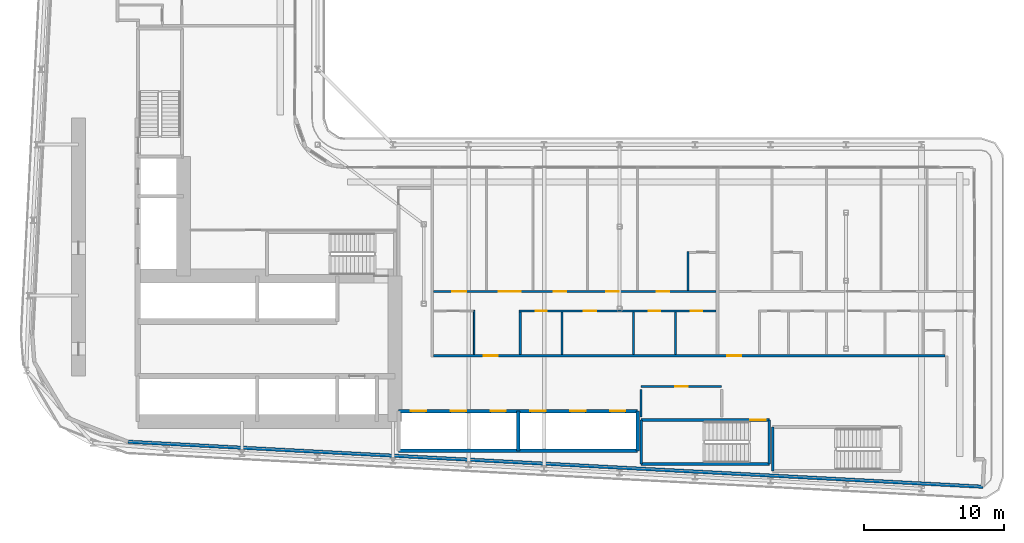
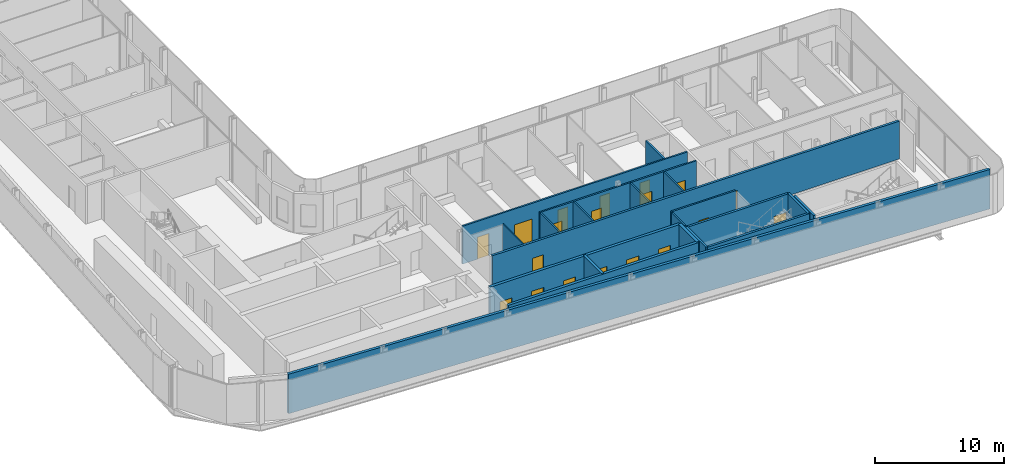
# One storey, part 14 of 27: 21 walls, 19 doors, 19 openings.
"""IFC4 building model written with IfcOpenShell, lengths in metres."""

from ifc_helpers import new_model, si_unit, direction, frame, frame_2d, origin, place, context, subcontext, project, spatial, rectangle, extrude, source, transform, mapped, material, layer, layer_set, type_object, element, fill, save


model = new_model("IFC4")

# Units and contexts
model_context = context("Model", 3, precision=1e-05, world=origin(), true_north=direction((0.0, 1.0)))
body_context = subcontext(model_context, "Body", "Model", "MODEL_VIEW")
ifc_project = project(units=[si_unit("LENGTHUNIT", "METRE"), si_unit("AREAUNIT", "SQUARE_METRE"), si_unit("VOLUMEUNIT", "CUBIC_METRE"), si_unit("PLANEANGLEUNIT", "RADIAN"), si_unit("MASSUNIT", "GRAM", prefix="KILO")], contexts=[model_context])

# Site, building, storey
site_placement = place(None, origin())
site = spatial("IfcSite", under=ifc_project, at=site_placement, CompositionType="ELEMENT")
building_placement = place(site_placement, origin())
building = spatial("IfcBuilding", under=site, at=building_placement, Name="Kheshtan School and Residences Tower", CompositionType="ELEMENT")
storey_placement = place(building_placement, frame((0.0, 0.0, 46.10009765625)))
storey = spatial("IfcBuildingStorey", under=building, at=storey_placement, Name="L10", CompositionType="ELEMENT", Elevation=46.10009765625)

# Wall, openings, doors
ifc_material_1 = material(Name="Gypsum board on steel studs with fire boards", Category="steel")
ifc_layer_1 = layer(ifc_material_1, 0.199951171875)
ifc_layer_set_1 = layer_set([ifc_layer_1], Name="Corridor wall 200")
wall_type_1 = type_object("IfcWallType", Name="Corridor wall 200", PredefinedType="PARTITIONING", material=ifc_layer_set_1)
wall_1_placement = place(storey_placement, frame((55.89990234375, 30.5, 0.0), z_axis=(0.0, 0.0, 1.0), x_axis=(1.0, 0.0, 0.0)))
wall_1 = element("IfcWall", 1, at=wall_1_placement, inside=storey, type_object=wall_type_1, Name="Partition L10-048", PredefinedType="PARTITIONING", context=body_context, shape_type="SweptSolid", body=[
    extrude(rectangle(XDim=36.5751953125, YDim=0.199951171875, at=frame_2d((18.28759765625, 0.0))), origin(), (0.0, 0.0, 1.0), 3.599853515625),
])
opening_1_placement = place(wall_1_placement, frame((3.60009765625, 0.0, 0.0)))
opening_1 = element("IfcOpeningElement", 2, at=opening_1_placement, cuts=wall_1, Name="Opening D10-007", PredefinedType="OPENING", context=body_context, shape_type="SweptSolid", body=[
    extrude(rectangle(XDim=1.0, YDim=2.10009765625, at=frame_2d((0.5, 1.050048828125))), frame((0.0, 0.10986328125, 0.0), z_axis=(0.0, -1.0, 0.0), x_axis=(1.0, 0.0, 0.0)), (0.0, 0.0, 1.0), 0.219970703125),
])
opening_2_placement = place(wall_1_placement, frame((21.0, 0.0, 0.0)))
opening_2 = element("IfcOpeningElement", 3, at=opening_2_placement, cuts=wall_1, Name="Opening D10-018", PredefinedType="OPENING", context=body_context, shape_type="SweptSolid", body=[
    extrude(rectangle(XDim=1.0, YDim=2.10009765625, at=frame_2d((0.5, 1.050048828125))), frame((0.0, 0.10986328125, 0.0), z_axis=(0.0, -1.0, 0.0), x_axis=(1.0, 0.0, 0.0)), (0.0, 0.0, 1.0), 0.219970703125),
])
ifc_material_2 = material(Name="Steel-framed fire-resisting door leaf", Category="steel")
door_type_1 = type_object("IfcDoorType", Name="Fire door FD30S 1000 x 2100", OperationType="SINGLE_SWING_LEFT", PredefinedType="DOOR", material=ifc_material_2)
shared_shape_1 = source(origin(), body_context, "Body", "SweptSolid", [
    extrude(rectangle(XDim=1.0, YDim=2.10009765625, at=frame_2d((0.5, 1.050048828125))), frame((0.0, 0.02490234375, 0.0), z_axis=(0.0, -1.0, 0.0), x_axis=(1.0, 0.0, 0.0)), (0.0, 0.0, 1.0), 0.050048828125),
])
door_1_placement = place(opening_1_placement, origin())
door_1 = element("IfcDoor", 4, at=door_1_placement, inside=storey, type_object=door_type_1, Name="Door D10-007", OperationType="SINGLE_SWING_LEFT", OverallHeight=2.10009765625, OverallWidth=1.0, PredefinedType="DOOR", context=body_context, shape_type="MappedRepresentation", body=[
    mapped(shared_shape_1, transform((0.0, 0.0, 0.0), x_axis=(1.0, 0.0, 0.0), y_axis=(0.0, 1.0, 0.0), z_axis=(0.0, 0.0, 1.0), scale=1.0)),
])
fill(opening_1, door_1)
door_2_placement = place(opening_2_placement, origin())
door_2 = element("IfcDoor", 5, at=door_2_placement, inside=storey, type_object=door_type_1, Name="Door D10-018", OperationType="SINGLE_SWING_LEFT", OverallHeight=2.10009765625, OverallWidth=1.0, PredefinedType="DOOR", context=body_context, shape_type="MappedRepresentation", body=[
    mapped(shared_shape_1, transform((0.0, 0.0, 0.0), x_axis=(1.0, 0.0, 0.0), y_axis=(0.0, 1.0, 0.0), z_axis=(0.0, 0.0, 1.0), scale=1.0)),
])
fill(opening_2, door_2)

# Walls
ifc_material_3 = material(Name="Concrete C40/50 with ceramic cladding and mineral wool insulation", Category="concrete")
ifc_layer_2 = layer(ifc_material_3, 0.25)
ifc_layer_set_2 = layer_set([ifc_layer_2], Name="External wall 250 ceramic clad")
wall_type_2 = type_object("IfcWallType", Name="External wall 250 ceramic clad", PredefinedType="SOLIDWALL", material=ifc_layer_set_2)
wall_2_placement = place(storey_placement, frame((95.18603515625, 21.134033203125, 0.0), z_axis=(0.0, 0.0, 1.0), x_axis=(-0.998617201448, 0.052570761569, 0.0)))
element("IfcWall", 6, at=wall_2_placement, inside=storey, type_object=wall_type_2, Name="External wall L10 16", PredefinedType="SOLIDWALL", context=body_context, shape_type="SweptSolid", body=[
    extrude(rectangle(XDim=61.231689453125, YDim=0.25, at=frame_2d((30.61572265625, 0.0))), origin(), (0.0, 0.0, 1.0), 3.75),
])
ifc_material_4 = material(Name="Gypsum board on steel studs", Category="steel")
ifc_layer_3 = layer(ifc_material_4, 0.10009765625)
ifc_layer_set_3 = layer_set([ifc_layer_3], Name="Gypsum partition 100")
wall_type_3 = type_object("IfcWallType", Name="Gypsum partition 100", PredefinedType="PARTITIONING", material=ifc_layer_set_3)
wall_3_placement = place(storey_placement, frame((58.800048828125, 30.60009765625, 0.0), z_axis=(0.0, 0.0, 1.0), x_axis=(0.0, 1.0, 0.0)))
element("IfcWall", 7, at=wall_3_placement, inside=storey, type_object=wall_type_3, Name="Partition L10-051", PredefinedType="PARTITIONING", context=body_context, shape_type="SweptSolid", body=[
    extrude(rectangle(XDim=3.14990234375, YDim=0.10009765625, at=frame_2d((1.574951171875, 0.0))), origin(), (0.0, 0.0, 1.0), 3.599853515625),
])

# Wall, opening, door
ifc_material_5 = material(Name="Fire-board shaft wall system")
ifc_layer_4 = layer(ifc_material_5, 0.14990234375)
ifc_layer_set_4 = layer_set([ifc_layer_4], Name="Service room wall 150")
wall_type_4 = type_object("IfcWallType", Name="Service room wall 150", PredefinedType="PARTITIONING", material=ifc_layer_set_4)
wall_4_placement = place(storey_placement, frame((70.75, 28.300048828125, 0.0), z_axis=(0.0, 0.0, 1.0), x_axis=(1.0, 0.0, 0.0)))
wall_4 = element("IfcWall", 8, at=wall_4_placement, inside=storey, type_object=wall_type_4, Name="Service room wall", PredefinedType="PARTITIONING", context=body_context, shape_type="SweptSolid", body=[
    extrude(rectangle(XDim=5.760009765625, YDim=0.14990234375, at=frame_2d((2.8798828125, 0.0))), origin(), (0.0, 0.0, 1.0), 3.89990234375),
])
opening_3_placement = place(wall_4_placement, frame((2.429931640625, 0.0, 0.0)))
opening_3 = element("IfcOpeningElement", 9, at=opening_3_placement, cuts=wall_4, Name="Opening SR90", PredefinedType="OPENING", context=body_context, shape_type="SweptSolid", body=[
    extrude(rectangle(XDim=0.89990234375, YDim=2.199951171875, at=frame_2d((0.449951171875, 1.10009765625))), frame((0.0, 0.0849609375, 0.0), z_axis=(0.0, -1.0, 0.0), x_axis=(1.0, 0.0, 0.0)), (0.0, 0.0, 1.0), 0.169921875),
])
ifc_material_6 = material(Name="Steel door leaf, galvanised", Category="steel")
door_type_2 = type_object("IfcDoorType", Name="Service room door 900 steel 90 min", OperationType="SINGLE_SWING_LEFT", PredefinedType="DOOR", material=ifc_material_6)
shared_shape_2 = source(origin(), body_context, "Body", "SweptSolid", [
    extrude(rectangle(XDim=0.89990234375, YDim=2.199951171875, at=frame_2d((0.449951171875, 1.10009765625))), frame((0.0, 0.02490234375, 0.0), z_axis=(0.0, -1.0, 0.0), x_axis=(1.0, 0.0, 0.0)), (0.0, 0.0, 1.0), 0.050048828125),
])
door_3_placement = place(opening_3_placement, origin())
door_3 = element("IfcDoor", 10, at=door_3_placement, inside=storey, type_object=door_type_2, Name="Service room door", OperationType="SINGLE_SWING_LEFT", OverallHeight=2.199951171875, OverallWidth=0.89990234375, PredefinedType="DOOR", context=body_context, shape_type="MappedRepresentation", body=[
    mapped(shared_shape_2, transform((0.0, 0.0, 0.0), x_axis=(1.0, 0.0, 0.0), y_axis=(0.0, 1.0, 0.0), z_axis=(0.0, 0.0, 1.0), scale=1.0)),
])
fill(opening_3, door_3)

# Walls
wall_5_placement = place(storey_placement, frame((70.75, 26.1201171875, 0.0), z_axis=(0.0, 0.0, 1.0), x_axis=(0.0, 1.0, 0.0)))
element("IfcWall", 11, at=wall_5_placement, inside=storey, type_object=wall_type_4, Name="Service room wall", PredefinedType="PARTITIONING", context=body_context, shape_type="SweptSolid", body=[
    extrude(rectangle(XDim=1.98486328125, YDim=0.14990234375, at=frame_2d((0.992431640625, 0.0))), origin(), (0.0, 0.0, 1.0), 3.89990234375),
])
ifc_layer_5 = layer(ifc_material_5, 0.25)
ifc_layer_set_5 = layer_set([ifc_layer_5], Name="Shaft lining wall 250")
wall_type_5 = type_object("IfcWallType", Name="Shaft lining wall 250", PredefinedType="PARTITIONING", material=ifc_layer_set_5)
for number, where, z_axis, x_axis, name in (
    (12, (61.949951171875, 23.699951171875, 0.0), (0.0, 0.0, 1.0), (0.0, 1.0, 0.0), "Shaft lining wall"),
    (13, (70.5, 23.699951171875, 0.0), (0.0, 0.0, 1.0), (0.0, 1.0, 0.0), "Shaft lining wall"),
):
    element("IfcWall", number, at=place(storey_placement, frame(where, z_axis=z_axis, x_axis=x_axis)), inside=storey, type_object=wall_type_5, Name=name, PredefinedType="PARTITIONING", context=body_context, shape_type="SweptSolid", body=[
        extrude(rectangle(XDim=2.85009765625, YDim=0.25, at=frame_2d((1.425048828125, 0.0))), origin(), (0.0, 0.0, 1.0), 3.89990234375),
    ])
wall_6_placement = place(storey_placement, frame((53.39990234375, 23.699951171875, 0.0), z_axis=(0.0, 0.0, 1.0), x_axis=(1.0, 0.0, 0.0)))
element("IfcWall", 14, at=wall_6_placement, inside=storey, type_object=wall_type_5, Name="Shaft lining wall", PredefinedType="PARTITIONING", context=body_context, shape_type="SweptSolid", body=[
    extrude(rectangle(XDim=17.10009765625, YDim=0.25, at=frame_2d((8.550048828125, 0.0))), origin(), (0.0, 0.0, 1.0), 3.89990234375),
])

# Wall, openings, doors
wall_7_placement = place(storey_placement, frame((53.39990234375, 26.550048828125, 0.0), z_axis=(0.0, 0.0, 1.0), x_axis=(1.0, 0.0, 0.0)))
wall_7 = element("IfcWall", 15, at=wall_7_placement, inside=storey, type_object=wall_type_5, Name="Shaft lining wall", PredefinedType="PARTITIONING", context=body_context, shape_type="SweptSolid", body=[
    extrude(rectangle(XDim=17.10009765625, YDim=0.25, at=frame_2d((8.550048828125, 0.0))), origin(), (0.0, 0.0, 1.0), 3.89990234375),
])
opening_4_placement = place(wall_7_placement, frame((0.875, 0.0, 0.0)))
opening_4 = element("IfcOpeningElement", 16, at=opening_4_placement, cuts=wall_7, Name="Opening LD", PredefinedType="OPENING", context=body_context, shape_type="SweptSolid", body=[
    extrude(rectangle(XDim=1.10009765625, YDim=2.199951171875, at=frame_2d((0.550048828125, 1.10009765625))), frame((0.0, 0.135009765625, 0.0), z_axis=(0.0, -1.0, 0.0), x_axis=(1.0, 0.0, 0.0)), (0.0, 0.0, 1.0), 0.27001953125),
])
opening_5_placement = place(wall_7_placement, frame((3.72509765625, 0.0, 0.0)))
opening_5 = element("IfcOpeningElement", 17, at=opening_5_placement, cuts=wall_7, Name="Opening LD", PredefinedType="OPENING", context=body_context, shape_type="SweptSolid", body=[
    extrude(rectangle(XDim=1.10009765625, YDim=2.199951171875, at=frame_2d((0.550048828125, 1.10009765625))), frame((0.0, 0.135009765625, 0.0), z_axis=(0.0, -1.0, 0.0), x_axis=(1.0, 0.0, 0.0)), (0.0, 0.0, 1.0), 0.27001953125),
])
opening_6_placement = place(wall_7_placement, frame((6.574951171875, 0.0, 0.0)))
opening_6 = element("IfcOpeningElement", 18, at=opening_6_placement, cuts=wall_7, Name="Opening LD", PredefinedType="OPENING", context=body_context, shape_type="SweptSolid", body=[
    extrude(rectangle(XDim=1.10009765625, YDim=2.199951171875, at=frame_2d((0.550048828125, 1.10009765625))), frame((0.0, 0.135009765625, 0.0), z_axis=(0.0, -1.0, 0.0), x_axis=(1.0, 0.0, 0.0)), (0.0, 0.0, 1.0), 0.27001953125),
])
opening_7_placement = place(wall_7_placement, frame((9.425048828125, 0.0, 0.0)))
opening_7 = element("IfcOpeningElement", 19, at=opening_7_placement, cuts=wall_7, Name="Opening LD", PredefinedType="OPENING", context=body_context, shape_type="SweptSolid", body=[
    extrude(rectangle(XDim=1.10009765625, YDim=2.199951171875, at=frame_2d((0.550048828125, 1.10009765625))), frame((0.0, 0.135009765625, 0.0), z_axis=(0.0, -1.0, 0.0), x_axis=(1.0, 0.0, 0.0)), (0.0, 0.0, 1.0), 0.27001953125),
])
opening_8_placement = place(wall_7_placement, frame((12.27490234375, 0.0, 0.0)))
opening_8 = element("IfcOpeningElement", 20, at=opening_8_placement, cuts=wall_7, Name="Opening LD", PredefinedType="OPENING", context=body_context, shape_type="SweptSolid", body=[
    extrude(rectangle(XDim=1.10009765625, YDim=2.199951171875, at=frame_2d((0.550048828125, 1.10009765625))), frame((0.0, 0.135009765625, 0.0), z_axis=(0.0, -1.0, 0.0), x_axis=(1.0, 0.0, 0.0)), (0.0, 0.0, 1.0), 0.27001953125),
])
opening_9_placement = place(wall_7_placement, frame((15.125, 0.0, 0.0)))
opening_9 = element("IfcOpeningElement", 21, at=opening_9_placement, cuts=wall_7, Name="Opening LD", PredefinedType="OPENING", context=body_context, shape_type="SweptSolid", body=[
    extrude(rectangle(XDim=1.10009765625, YDim=2.199951171875, at=frame_2d((0.550048828125, 1.10009765625))), frame((0.0, 0.135009765625, 0.0), z_axis=(0.0, -1.0, 0.0), x_axis=(1.0, 0.0, 0.0)), (0.0, 0.0, 1.0), 0.27001953125),
])
ifc_material_7 = material(Name="Stainless steel door leaves", Category="steel")
door_type_3 = type_object("IfcDoorType", Name="Lift landing door 1100", OperationType="SLIDING_TO_LEFT", PredefinedType="DOOR", material=ifc_material_7)
shared_shape_3 = source(origin(), body_context, "Body", "SweptSolid", [
    extrude(rectangle(XDim=1.10009765625, YDim=2.199951171875, at=frame_2d((0.550048828125, 1.10009765625))), frame((0.0, 0.02490234375, 0.0), z_axis=(0.0, -1.0, 0.0), x_axis=(1.0, 0.0, 0.0)), (0.0, 0.0, 1.0), 0.050048828125),
])
door_4_placement = place(opening_4_placement, origin())
door_4 = element("IfcDoor", 22, at=door_4_placement, inside=storey, type_object=door_type_3, Name="Lift P1 landing door", OperationType="SLIDING_TO_LEFT", OverallHeight=2.199951171875, OverallWidth=1.10009765625, PredefinedType="DOOR", context=body_context, shape_type="MappedRepresentation", body=[
    mapped(shared_shape_3, transform((0.0, 0.0, 0.0), x_axis=(1.0, 0.0, 0.0), y_axis=(0.0, 1.0, 0.0), z_axis=(0.0, 0.0, 1.0), scale=1.0)),
])
fill(opening_4, door_4)
door_5_placement = place(opening_5_placement, origin())
door_5 = element("IfcDoor", 23, at=door_5_placement, inside=storey, type_object=door_type_3, Name="Lift P2 landing door", OperationType="SLIDING_TO_LEFT", OverallHeight=2.199951171875, OverallWidth=1.10009765625, PredefinedType="DOOR", context=body_context, shape_type="MappedRepresentation", body=[
    mapped(shared_shape_3, transform((0.0, 0.0, 0.0), x_axis=(1.0, 0.0, 0.0), y_axis=(0.0, 1.0, 0.0), z_axis=(0.0, 0.0, 1.0), scale=1.0)),
])
fill(opening_5, door_5)
door_6_placement = place(opening_6_placement, origin())
door_6 = element("IfcDoor", 24, at=door_6_placement, inside=storey, type_object=door_type_3, Name="Lift P3 landing door", OperationType="SLIDING_TO_LEFT", OverallHeight=2.199951171875, OverallWidth=1.10009765625, PredefinedType="DOOR", context=body_context, shape_type="MappedRepresentation", body=[
    mapped(shared_shape_3, transform((0.0, 0.0, 0.0), x_axis=(1.0, 0.0, 0.0), y_axis=(0.0, 1.0, 0.0), z_axis=(0.0, 0.0, 1.0), scale=1.0)),
])
fill(opening_6, door_6)
door_7_placement = place(opening_7_placement, origin())
door_7 = element("IfcDoor", 25, at=door_7_placement, inside=storey, type_object=door_type_3, Name="Lift P4 landing door", OperationType="SLIDING_TO_LEFT", OverallHeight=2.199951171875, OverallWidth=1.10009765625, PredefinedType="DOOR", context=body_context, shape_type="MappedRepresentation", body=[
    mapped(shared_shape_3, transform((0.0, 0.0, 0.0), x_axis=(1.0, 0.0, 0.0), y_axis=(0.0, 1.0, 0.0), z_axis=(0.0, 0.0, 1.0), scale=1.0)),
])
fill(opening_7, door_7)
door_8_placement = place(opening_8_placement, origin())
door_8 = element("IfcDoor", 26, at=door_8_placement, inside=storey, type_object=door_type_3, Name="Lift P5 landing door", OperationType="SLIDING_TO_LEFT", OverallHeight=2.199951171875, OverallWidth=1.10009765625, PredefinedType="DOOR", context=body_context, shape_type="MappedRepresentation", body=[
    mapped(shared_shape_3, transform((0.0, 0.0, 0.0), x_axis=(1.0, 0.0, 0.0), y_axis=(0.0, 1.0, 0.0), z_axis=(0.0, 0.0, 1.0), scale=1.0)),
])
fill(opening_8, door_8)
door_9_placement = place(opening_9_placement, origin())
door_9 = element("IfcDoor", 27, at=door_9_placement, inside=storey, type_object=door_type_3, Name="Lift P6 landing door", OperationType="SLIDING_TO_LEFT", OverallHeight=2.199951171875, OverallWidth=1.10009765625, PredefinedType="DOOR", context=body_context, shape_type="MappedRepresentation", body=[
    mapped(shared_shape_3, transform((0.0, 0.0, 0.0), x_axis=(1.0, 0.0, 0.0), y_axis=(0.0, 1.0, 0.0), z_axis=(0.0, 0.0, 1.0), scale=1.0)),
])
fill(opening_9, door_9)

# Walls
ifc_material_8 = material(Name="Concrete C40/50", Category="concrete")
ifc_layer_6 = layer(ifc_material_8, 0.199951171875)
ifc_layer_set_6 = layer_set([ifc_layer_6], Name="Stair enclosure wall 200 Concrete C40/50")
wall_type_6 = type_object("IfcWallType", Name="Stair enclosure wall 200 Concrete C40/50", PredefinedType="SHEAR", material=ifc_layer_set_6)
wall_8_placement = place(storey_placement, frame((80.159912109375, 22.25, 0.0), z_axis=(0.0, 0.0, 1.0), x_axis=(0.0, 1.0, 0.0)))
element("IfcWall", 28, at=wall_8_placement, inside=storey, type_object=wall_type_6, Name="Stair enclosure wall ST4", PredefinedType="SHEAR", context=body_context, shape_type="SweptSolid", body=[
    extrude(rectangle(XDim=3.14990234375, YDim=0.199951171875, at=frame_2d((1.574951171875, 0.0))), origin(), (0.0, 0.0, 1.0), 3.89990234375),
])
wall_9_placement = place(storey_placement, frame((70.75, 22.75, 0.0), z_axis=(0.0, 0.0, 1.0), x_axis=(1.0, 0.0, 0.0)))
element("IfcWall", 29, at=wall_9_placement, inside=storey, type_object=wall_type_6, Name="Stair enclosure wall ST5", PredefinedType="SHEAR", context=body_context, shape_type="SweptSolid", body=[
    extrude(rectangle(XDim=9.159912109375, YDim=0.199951171875, at=frame_2d((4.580078125, 0.0))), origin(), (0.0, 0.0, 1.0), 3.89990234375),
])

# Wall, opening, door
wall_10_placement = place(storey_placement, frame((70.75, 25.89990234375, 0.0), z_axis=(0.0, 0.0, 1.0), x_axis=(1.0, 0.0, 0.0)))
wall_10 = element("IfcWall", 30, at=wall_10_placement, inside=storey, type_object=wall_type_6, Name="Stair enclosure wall ST5", PredefinedType="SHEAR", context=body_context, shape_type="SweptSolid", body=[
    extrude(rectangle(XDim=9.159912109375, YDim=0.199951171875, at=frame_2d((4.580078125, 0.0))), origin(), (0.0, 0.0, 1.0), 3.89990234375),
])
opening_10_placement = place(wall_10_placement, frame((7.81005859375, 0.0, 0.0)))
opening_10 = element("IfcOpeningElement", 31, at=opening_10_placement, cuts=wall_10, Name="Opening ST5D", PredefinedType="OPENING", context=body_context, shape_type="SweptSolid", body=[
    extrude(rectangle(XDim=1.10009765625, YDim=2.199951171875, at=frame_2d((0.550048828125, 1.10009765625))), frame((0.0, 0.10986328125, 0.0), z_axis=(0.0, -1.0, 0.0), x_axis=(1.0, 0.0, 0.0)), (0.0, 0.0, 1.0), 0.219970703125),
])
door_type_4 = type_object("IfcDoorType", Name="Stair door 1100 steel 90 min", OperationType="SINGLE_SWING_LEFT", PredefinedType="DOOR", material=ifc_material_6)
shared_shape_4 = source(origin(), body_context, "Body", "SweptSolid", [
    extrude(rectangle(XDim=1.10009765625, YDim=2.199951171875, at=frame_2d((0.550048828125, 1.10009765625))), frame((0.0, 0.02490234375, 0.0), z_axis=(0.0, -1.0, 0.0), x_axis=(1.0, 0.0, 0.0)), (0.0, 0.0, 1.0), 0.050048828125),
])
door_10_placement = place(opening_10_placement, origin())
door_10 = element("IfcDoor", 32, at=door_10_placement, inside=storey, type_object=door_type_4, Name="Stair ST5 door", OperationType="SINGLE_SWING_LEFT", OverallHeight=2.199951171875, OverallWidth=1.10009765625, PredefinedType="DOOR", context=body_context, shape_type="MappedRepresentation", body=[
    mapped(shared_shape_4, transform((0.0, 0.0, 0.0), x_axis=(1.0, 0.0, 0.0), y_axis=(0.0, 1.0, 0.0), z_axis=(0.0, 0.0, 1.0), scale=1.0)),
])
fill(opening_10, door_10)

# Walls
for number, where, z_axis, x_axis, name in (
    (33, (70.75, 22.75, 0.0), (0.0, 0.0, 1.0), (0.0, 1.0, 0.0), "Stair enclosure wall ST5"),
    (34, (79.909912109375, 22.75, 0.0), (0.0, 0.0, 1.0), (0.0, 1.0, 0.0), "Stair enclosure wall ST5"),
):
    element("IfcWall", number, at=place(storey_placement, frame(where, z_axis=z_axis, x_axis=x_axis)), inside=storey, type_object=wall_type_6, Name=name, PredefinedType="SHEAR", context=body_context, shape_type="SweptSolid", body=[
        extrude(rectangle(XDim=3.14990234375, YDim=0.199951171875, at=frame_2d((1.574951171875, 0.0))), origin(), (0.0, 0.0, 1.0), 3.89990234375),
    ])

# Wall, openings, doors
ifc_material_9 = material(Name="Moisture-resistant gypsum board on steel studs", Category="steel")
ifc_layer_7 = layer(ifc_material_9, 0.14990234375)
ifc_layer_set_7 = layer_set([ifc_layer_7], Name="Wet-room partition 150")
wall_type_7 = type_object("IfcWallType", Name="Wet-room partition 150", PredefinedType="PARTITIONING", material=ifc_layer_set_7)
wall_11_placement = place(storey_placement, frame((55.89990234375, 35.10009765625, 0.0), z_axis=(0.0, 0.0, 1.0), x_axis=(1.0, 0.0, 0.0)))
wall_11 = element("IfcWall", 35, at=wall_11_placement, inside=storey, type_object=wall_type_7, Name="Partition L10-050", PredefinedType="PARTITIONING", context=body_context, shape_type="SweptSolid", body=[
    extrude(rectangle(XDim=20.2001953125, YDim=0.14990234375, at=frame_2d((10.10009765625, 0.0))), origin(), (0.0, 0.0, 1.0), 3.599853515625),
])
opening_11_placement = place(wall_11_placement, frame((8.60009765625, 0.0, 0.0)))
opening_11 = element("IfcOpeningElement", 36, at=opening_11_placement, cuts=wall_11, Name="Opening D10-003", PredefinedType="OPENING", context=body_context, shape_type="SweptSolid", body=[
    extrude(rectangle(XDim=0.89990234375, YDim=2.10009765625, at=frame_2d((0.449951171875, 1.050048828125))), frame((0.0, 0.0849609375, 0.0), z_axis=(0.0, -1.0, 0.0), x_axis=(1.0, 0.0, 0.0)), (0.0, 0.0, 1.0), 0.169921875),
])
opening_12_placement = place(wall_11_placement, frame((12.35009765625, 0.0, 0.0)))
opening_12 = element("IfcOpeningElement", 37, at=opening_12_placement, cuts=wall_11, Name="Opening D10-004", PredefinedType="OPENING", context=body_context, shape_type="SweptSolid", body=[
    extrude(rectangle(XDim=0.89990234375, YDim=2.10009765625, at=frame_2d((0.449951171875, 1.050048828125))), frame((0.0, 0.0849609375, 0.0), z_axis=(0.0, -1.0, 0.0), x_axis=(1.0, 0.0, 0.0)), (0.0, 0.0, 1.0), 0.169921875),
])
opening_13_placement = place(wall_11_placement, frame((1.35009765625, 0.0, 0.0)))
opening_13 = element("IfcOpeningElement", 38, at=opening_13_placement, cuts=wall_11, Name="Opening D10-009", PredefinedType="OPENING", context=body_context, shape_type="SweptSolid", body=[
    extrude(rectangle(XDim=1.0, YDim=2.10009765625, at=frame_2d((0.5, 1.050048828125))), frame((0.0, 0.0849609375, 0.0), z_axis=(0.0, -1.0, 0.0), x_axis=(1.0, 0.0, 0.0)), (0.0, 0.0, 1.0), 0.169921875),
])
opening_14_placement = place(wall_11_placement, frame((4.64990234375, 0.0, 0.0)))
opening_14 = element("IfcOpeningElement", 39, at=opening_14_placement, cuts=wall_11, Name="Opening D10-010", PredefinedType="OPENING", context=body_context, shape_type="SweptSolid", body=[
    extrude(rectangle(XDim=1.60009765625, YDim=2.10009765625, at=frame_2d((0.800048828125, 1.050048828125))), frame((0.0, 0.0849609375, 0.0), z_axis=(0.0, -1.0, 0.0), x_axis=(1.0, 0.0, 0.0)), (0.0, 0.0, 1.0), 0.169921875),
])
opening_15_placement = place(wall_11_placement, frame((15.949951171875, 0.0, 0.0)))
opening_15 = element("IfcOpeningElement", 40, at=opening_15_placement, cuts=wall_11, Name="Opening D10-011", PredefinedType="OPENING", context=body_context, shape_type="SweptSolid", body=[
    extrude(rectangle(XDim=0.89990234375, YDim=2.10009765625, at=frame_2d((0.449951171875, 1.050048828125))), frame((0.0, 0.0849609375, 0.0), z_axis=(0.0, -1.0, 0.0), x_axis=(1.0, 0.0, 0.0)), (0.0, 0.0, 1.0), 0.169921875),
])
ifc_material_10 = material(Name="Veneered timber door leaf", Category="wood")
door_type_5 = type_object("IfcDoorType", Name="Door 1000 x 2100", OperationType="SINGLE_SWING_LEFT", PredefinedType="DOOR", material=ifc_material_10)
shared_shape_5 = source(origin(), body_context, "Body", "SweptSolid", [
    extrude(rectangle(XDim=1.0, YDim=2.10009765625, at=frame_2d((0.5, 1.050048828125))), frame((0.0, 0.02490234375, 0.0), z_axis=(0.0, -1.0, 0.0), x_axis=(1.0, 0.0, 0.0)), (0.0, 0.0, 1.0), 0.050048828125),
])
door_11_placement = place(opening_13_placement, origin())
door_11 = element("IfcDoor", 41, at=door_11_placement, inside=storey, type_object=door_type_5, Name="Door D10-009", OperationType="SINGLE_SWING_LEFT", OverallHeight=2.10009765625, OverallWidth=1.0, PredefinedType="DOOR", context=body_context, shape_type="MappedRepresentation", body=[
    mapped(shared_shape_5, transform((0.0, 0.0, 0.0), x_axis=(1.0, 0.0, 0.0), y_axis=(0.0, 1.0, 0.0), z_axis=(0.0, 0.0, 1.0), scale=1.0)),
])
fill(opening_13, door_11)
door_type_6 = type_object("IfcDoorType", Name="Door 900 x 2100", OperationType="SINGLE_SWING_LEFT", PredefinedType="DOOR", material=ifc_material_10)
shared_shape_6 = source(origin(), body_context, "Body", "SweptSolid", [
    extrude(rectangle(XDim=0.89990234375, YDim=2.10009765625, at=frame_2d((0.449951171875, 1.050048828125))), frame((0.0, 0.02490234375, 0.0), z_axis=(0.0, -1.0, 0.0), x_axis=(1.0, 0.0, 0.0)), (0.0, 0.0, 1.0), 0.050048828125),
])
door_12_placement = place(opening_11_placement, origin())
door_12 = element("IfcDoor", 42, at=door_12_placement, inside=storey, type_object=door_type_6, Name="Door D10-003", OperationType="SINGLE_SWING_RIGHT", OverallHeight=2.10009765625, OverallWidth=0.89990234375, PredefinedType="DOOR", context=body_context, shape_type="MappedRepresentation", body=[
    mapped(shared_shape_6, transform((0.0, 0.0, 0.0), x_axis=(1.0, 0.0, 0.0), y_axis=(0.0, 1.0, 0.0), z_axis=(0.0, 0.0, 1.0), scale=1.0)),
])
fill(opening_11, door_12)
door_13_placement = place(opening_12_placement, origin())
door_13 = element("IfcDoor", 43, at=door_13_placement, inside=storey, type_object=door_type_6, Name="Door D10-004", OperationType="SINGLE_SWING_RIGHT", OverallHeight=2.10009765625, OverallWidth=0.89990234375, PredefinedType="DOOR", context=body_context, shape_type="MappedRepresentation", body=[
    mapped(shared_shape_6, transform((0.0, 0.0, 0.0), x_axis=(1.0, 0.0, 0.0), y_axis=(0.0, 1.0, 0.0), z_axis=(0.0, 0.0, 1.0), scale=1.0)),
])
fill(opening_12, door_13)
door_14_placement = place(opening_15_placement, origin())
door_14 = element("IfcDoor", 44, at=door_14_placement, inside=storey, type_object=door_type_6, Name="Door D10-011", OperationType="SINGLE_SWING_LEFT", OverallHeight=2.10009765625, OverallWidth=0.89990234375, PredefinedType="DOOR", context=body_context, shape_type="MappedRepresentation", body=[
    mapped(shared_shape_6, transform((0.0, 0.0, 0.0), x_axis=(1.0, 0.0, 0.0), y_axis=(0.0, 1.0, 0.0), z_axis=(0.0, 0.0, 1.0), scale=1.0)),
])
fill(opening_15, door_14)
door_type_7 = type_object("IfcDoorType", Name="Double door 1600 x 2100", OperationType="DOUBLE_DOOR_SINGLE_SWING", PredefinedType="DOOR", material=ifc_material_10)
shared_shape_7 = source(origin(), body_context, "Body", "SweptSolid", [
    extrude(rectangle(XDim=1.60009765625, YDim=2.10009765625, at=frame_2d((0.800048828125, 1.050048828125))), frame((0.0, 0.02490234375, 0.0), z_axis=(0.0, -1.0, 0.0), x_axis=(1.0, 0.0, 0.0)), (0.0, 0.0, 1.0), 0.050048828125),
])
door_15_placement = place(opening_14_placement, origin())
door_15 = element("IfcDoor", 45, at=door_15_placement, inside=storey, type_object=door_type_7, Name="Door D10-010", OperationType="DOUBLE_DOOR_SINGLE_SWING", OverallHeight=2.10009765625, OverallWidth=1.60009765625, PredefinedType="DOOR", context=body_context, shape_type="MappedRepresentation", body=[
    mapped(shared_shape_7, transform((0.0, 0.0, 0.0), x_axis=(1.0, 0.0, 0.0), y_axis=(0.0, 1.0, 0.0), z_axis=(0.0, 0.0, 1.0), scale=1.0)),
])
fill(opening_14, door_15)

wall_12_placement = place(storey_placement, frame((62.02490234375, 33.699951171875, 0.0), z_axis=(0.0, 0.0, 1.0), x_axis=(1.0, 0.0, 0.0)))
wall_12 = element("IfcWall", 46, at=wall_12_placement, inside=storey, type_object=wall_type_7, Name="Partition L10-053", PredefinedType="PARTITIONING", context=body_context, shape_type="SweptSolid", body=[
    extrude(rectangle(XDim=14.0751953125, YDim=0.14990234375, at=frame_2d((7.03759765625, 0.0))), origin(), (0.0, 0.0, 1.0), 3.599853515625),
])
opening_16_placement = place(wall_12_placement, frame((1.175048828125, 0.0, 0.0)))
opening_16 = element("IfcOpeningElement", 47, at=opening_16_placement, cuts=wall_12, Name="Opening D10-001", PredefinedType="OPENING", context=body_context, shape_type="SweptSolid", body=[
    extrude(rectangle(XDim=0.800048828125, YDim=2.10009765625, at=frame_2d((0.39990234375, 1.050048828125))), frame((0.0, 0.0849609375, 0.0), z_axis=(0.0, -1.0, 0.0), x_axis=(1.0, 0.0, 0.0)), (0.0, 0.0, 1.0), 0.169921875),
])
opening_17_placement = place(wall_12_placement, frame((9.27490234375, 0.0, 0.0)))
opening_17 = element("IfcOpeningElement", 48, at=opening_17_placement, cuts=wall_12, Name="Opening D10-002", PredefinedType="OPENING", context=body_context, shape_type="SweptSolid", body=[
    extrude(rectangle(XDim=0.800048828125, YDim=2.10009765625, at=frame_2d((0.39990234375, 1.050048828125))), frame((0.0, 0.0849609375, 0.0), z_axis=(0.0, -1.0, 0.0), x_axis=(1.0, 0.0, 0.0)), (0.0, 0.0, 1.0), 0.169921875),
])
opening_18_placement = place(wall_12_placement, frame((4.625, 0.0, 0.0)))
opening_18 = element("IfcOpeningElement", 49, at=opening_18_placement, cuts=wall_12, Name="Opening D10-008", PredefinedType="OPENING", context=body_context, shape_type="SweptSolid", body=[
    extrude(rectangle(XDim=0.89990234375, YDim=2.10009765625, at=frame_2d((0.449951171875, 1.050048828125))), frame((0.0, 0.0849609375, 0.0), z_axis=(0.0, -1.0, 0.0), x_axis=(1.0, 0.0, 0.0)), (0.0, 0.0, 1.0), 0.169921875),
])
opening_19_placement = place(wall_12_placement, frame((12.27490234375, 0.0, 0.0)))
opening_19 = element("IfcOpeningElement", 50, at=opening_19_placement, cuts=wall_12, Name="Opening D10-012", PredefinedType="OPENING", context=body_context, shape_type="SweptSolid", body=[
    extrude(rectangle(XDim=0.800048828125, YDim=2.10009765625, at=frame_2d((0.39990234375, 1.050048828125))), frame((0.0, 0.0849609375, 0.0), z_axis=(0.0, -1.0, 0.0), x_axis=(1.0, 0.0, 0.0)), (0.0, 0.0, 1.0), 0.169921875),
])
door_type_8 = type_object("IfcDoorType", Name="Door 800 x 2100", OperationType="SINGLE_SWING_LEFT", PredefinedType="DOOR", material=ifc_material_10)
shared_shape_8 = source(origin(), body_context, "Body", "SweptSolid", [
    extrude(rectangle(XDim=0.800048828125, YDim=2.10009765625, at=frame_2d((0.39990234375, 1.050048828125))), frame((0.0, 0.02490234375, 0.0), z_axis=(0.0, -1.0, 0.0), x_axis=(1.0, 0.0, 0.0)), (0.0, 0.0, 1.0), 0.050048828125),
])
door_16_placement = place(opening_16_placement, origin())
door_16 = element("IfcDoor", 51, at=door_16_placement, inside=storey, type_object=door_type_8, Name="Door D10-001", OperationType="SINGLE_SWING_LEFT", OverallHeight=2.10009765625, OverallWidth=0.800048828125, PredefinedType="DOOR", context=body_context, shape_type="MappedRepresentation", body=[
    mapped(shared_shape_8, transform((0.0, 0.0, 0.0), x_axis=(1.0, 0.0, 0.0), y_axis=(0.0, 1.0, 0.0), z_axis=(0.0, 0.0, 1.0), scale=1.0)),
])
fill(opening_16, door_16)
door_17_placement = place(opening_17_placement, origin())
door_17 = element("IfcDoor", 52, at=door_17_placement, inside=storey, type_object=door_type_8, Name="Door D10-002", OperationType="SINGLE_SWING_RIGHT", OverallHeight=2.10009765625, OverallWidth=0.800048828125, PredefinedType="DOOR", context=body_context, shape_type="MappedRepresentation", body=[
    mapped(shared_shape_8, transform((0.0, 0.0, 0.0), x_axis=(1.0, 0.0, 0.0), y_axis=(0.0, 1.0, 0.0), z_axis=(0.0, 0.0, 1.0), scale=1.0)),
])
fill(opening_17, door_17)
door_18_placement = place(opening_19_placement, origin())
door_18 = element("IfcDoor", 53, at=door_18_placement, inside=storey, type_object=door_type_8, Name="Door D10-012", OperationType="SINGLE_SWING_RIGHT", OverallHeight=2.10009765625, OverallWidth=0.800048828125, PredefinedType="DOOR", context=body_context, shape_type="MappedRepresentation", body=[
    mapped(shared_shape_8, transform((0.0, 0.0, 0.0), x_axis=(1.0, 0.0, 0.0), y_axis=(0.0, 1.0, 0.0), z_axis=(0.0, 0.0, 1.0), scale=1.0)),
])
fill(opening_19, door_18)
door_19_placement = place(opening_18_placement, origin())
door_19 = element("IfcDoor", 54, at=door_19_placement, inside=storey, type_object=door_type_6, Name="Door D10-008", OperationType="SINGLE_SWING_LEFT", OverallHeight=2.10009765625, OverallWidth=0.89990234375, PredefinedType="DOOR", context=body_context, shape_type="MappedRepresentation", body=[
    mapped(shared_shape_6, transform((0.0, 0.0, 0.0), x_axis=(1.0, 0.0, 0.0), y_axis=(0.0, 1.0, 0.0), z_axis=(0.0, 0.0, 1.0), scale=1.0)),
])
fill(opening_18, door_19)

# Walls
for number, where, z_axis, x_axis, name in (
    (55, (62.10009765625, 30.60009765625, 0.0), (0.0, 0.0, 1.0), (0.0, 1.0, 0.0), "Partition L10-054"),
    (56, (65.10009765625, 30.60009765625, 0.0), (0.0, 0.0, 1.0), (0.0, 1.0, 0.0), "Partition L10-056"),
    (57, (70.199951171875, 30.60009765625, 0.0), (0.0, 0.0, 1.0), (0.0, 1.0, 0.0), "Partition L10-058"),
    (58, (73.199951171875, 30.60009765625, 0.0), (0.0, 0.0, 1.0), (0.0, 1.0, 0.0), "Partition L10-060"),
):
    element("IfcWall", number, at=place(storey_placement, frame(where, z_axis=z_axis, x_axis=x_axis)), inside=storey, type_object=wall_type_7, Name=name, PredefinedType="PARTITIONING", context=body_context, shape_type="SweptSolid", body=[
        extrude(rectangle(XDim=3.02490234375, YDim=0.14990234375, at=frame_2d((1.512451171875, 0.0))), origin(), (0.0, 0.0, 1.0), 3.599853515625),
    ])
wall_13_placement = place(storey_placement, frame((74.10009765625, 35.175048828125, 0.0), z_axis=(0.0, 0.0, 1.0), x_axis=(0.0, 1.0, 0.0)))
element("IfcWall", 59, at=wall_13_placement, inside=storey, type_object=wall_type_7, Name="Partition L10-061", PredefinedType="PARTITIONING", context=body_context, shape_type="SweptSolid", body=[
    extrude(rectangle(XDim=2.800048828125, YDim=0.14990234375, at=frame_2d((1.39990234375, 0.0))), origin(), (0.0, 0.0, 1.0), 3.599853515625),
])

save(model, "model.ifc")
